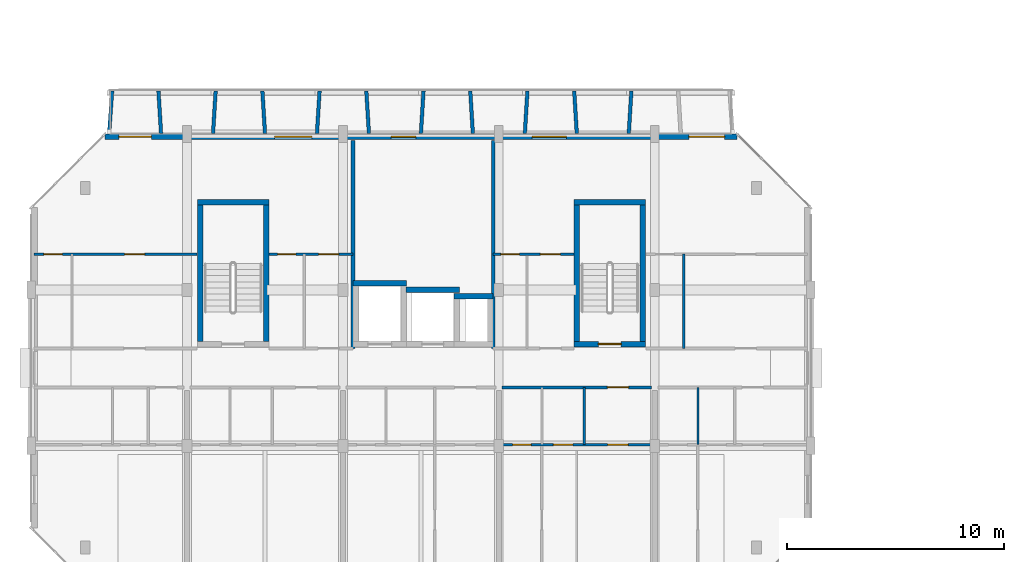
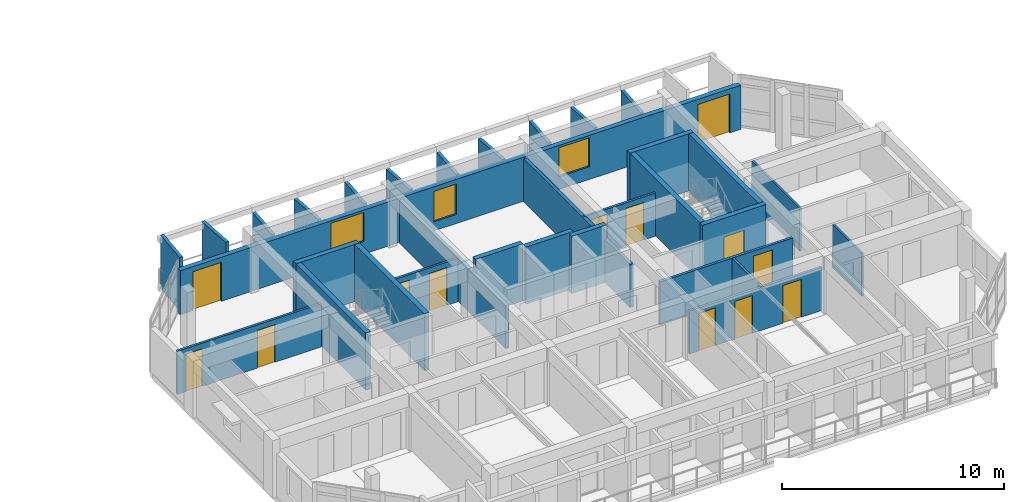
# One storey, part 18 of 45: 32 walls, 13 doors, 3 windows, 16 openings.
"""IFC4 building model written with IfcOpenShell, lengths in metres."""

from ifc_helpers import new_model, si_unit, direction, frame, frame_2d, origin, place, context, subcontext, project, spatial, rectangle, extrude, material, layer, layer_set, type_object, element, fill, save


model = new_model("IFC4")

# Units and contexts
model_context = context("Model", 3, precision=1e-05, world=origin(), true_north=direction((0.0, 1.0)))
body_context = subcontext(model_context, "Body", "Model", "MODEL_VIEW")
ifc_project = project(units=[si_unit("LENGTHUNIT", "METRE"), si_unit("AREAUNIT", "SQUARE_METRE"), si_unit("VOLUMEUNIT", "CUBIC_METRE"), si_unit("PLANEANGLEUNIT", "RADIAN"), si_unit("MASSUNIT", "GRAM", prefix="KILO")], contexts=[model_context])

# Site, building, storey
site_placement = place(None, origin())
site = spatial("IfcSite", under=ifc_project, at=site_placement, CompositionType="ELEMENT")
building_placement = place(site_placement, origin())
building = spatial("IfcBuilding", under=site, at=building_placement, Name="Ochrevale Crest", CompositionType="ELEMENT")
storey_placement = place(building_placement, frame((0.0, 0.0, 18.14990234375)))
storey = spatial("IfcBuildingStorey", under=building, at=storey_placement, Name="L05", CompositionType="ELEMENT", Elevation=18.14990234375)

# Wall, opening, door
ifc_material_1 = material(Name="Gypsum plasterboard", Category="gypsum")
ifc_layer_1 = layer(ifc_material_1, 0.139892578125)
ifc_layer_set_1 = layer_set([ifc_layer_1], Name="Gypsum plasterboard")
wall_type_1 = type_object("IfcWallType", Name="WL-COR-140", PredefinedType="PARTITIONING", material=ifc_layer_set_1)
wall_1_placement = place(storey_placement, frame((21.739990234375, 24.300048828125, 0.0), z_axis=(0.0, 0.0, 1.0), x_axis=(1.0, 0.0, 0.0)))
wall_1 = element("IfcWall", 1, at=wall_1_placement, inside=storey, type_object=wall_type_1, Name="Apartment A-L05-U4 corridor wall", PredefinedType="PARTITIONING", context=body_context, shape_type="SweptSolid", body=[
    extrude(rectangle(XDim=6.919921875, YDim=0.139892578125, at=frame_2d((3.4599609375, 0.0))), origin(), (0.0, 0.0, 1.0), 2.380126953125),
])
opening_1_placement = place(wall_1_placement, frame((4.8701171875, 0.0, 0.0)))
opening_1 = element("IfcOpeningElement", 2, at=opening_1_placement, cuts=wall_1, Name="Opening FD01", PredefinedType="OPENING", context=body_context, shape_type="SweptSolid", body=[
    extrude(rectangle(XDim=0.97998046875, YDim=2.10009765625, at=frame_2d((0.489990234375, 1.050048828125))), frame((0.0, 0.080078125, 0.0), z_axis=(0.0, -1.0, 0.0), x_axis=(1.0, 0.0, 0.0)), (0.0, 0.0, 1.0), 0.159912109375),
])
ifc_material_2 = material(Name="Solid-core FSC hardwood", Category="wood")
door_type_1 = type_object("IfcDoorType", Name="DR-APT-950", OperationType="NOTDEFINED", PredefinedType="DOOR", material=ifc_material_2)
door_1_placement = place(opening_1_placement, origin())
door_1 = element("IfcDoor", 3, at=door_1_placement, inside=storey, type_object=door_type_1, Name="Apartment A-L05-U4 entrance door", OperationType="SINGLE_SWING_LEFT", OverallHeight=2.10009765625, OverallWidth=0.97998046875, PredefinedType="DOOR", context=body_context, shape_type="SweptSolid", body=[
    extrude(rectangle(XDim=0.97998046875, YDim=2.10009765625, at=frame_2d((0.489990234375, 1.050048828125))), frame((0.0, 0.02490234375, 0.0), z_axis=(0.0, -1.0, 0.0), x_axis=(1.0, 0.0, 0.0)), (0.0, 0.0, 1.0), 0.050048828125),
])
fill(opening_1, door_1)

# Walls
ifc_material_3 = material(Name="Precast concrete C50/60", Category="concrete")
ifc_layer_2 = layer(ifc_material_3, 0.2548828125)
ifc_layer_set_2 = layer_set([ifc_layer_2], Name="Precast concrete C50/60")
wall_type_2 = type_object("IfcWallType", Name="WL-CORE-255", PredefinedType="SHEAR", material=ifc_layer_set_2)
wall_2_placement = place(storey_placement, frame((7.672607421875, 32.85009765625, 0.0), z_axis=(0.0, 0.0, 1.0), x_axis=(1.0, 0.0, 0.0)))
element("IfcWall", 4, at=wall_2_placement, inside=storey, type_object=wall_type_2, Name="Block A L05 Stair 1 precast core shear wall N", PredefinedType="SHEAR", context=body_context, shape_type="SweptSolid", body=[
    extrude(rectangle(XDim=3.304931640625, YDim=0.2548828125, at=frame_2d((1.65234375, 0.0))), origin(), (0.0, 0.0, 1.0), 3.150146484375),
])
for number, where, z_axis, x_axis, name in (
    (5, (7.800048828125, 26.427490234375, 0.0), (0.0, 0.0, 1.0), (0.0, 1.0, 0.0), "Block A L05 Stair 1 precast core shear wall W"),
    (6, (10.85009765625, 26.427490234375, 0.0), (0.0, 0.0, 1.0), (0.0, 1.0, 0.0), "Block A L05 Stair 1 precast core shear wall E"),
):
    element("IfcWall", number, at=place(storey_placement, frame(where, z_axis=z_axis, x_axis=x_axis)), inside=storey, type_object=wall_type_2, Name=name, PredefinedType="SHEAR", context=body_context, shape_type="SweptSolid", body=[
        extrude(rectangle(XDim=6.294921875, YDim=0.2548828125, at=frame_2d((3.1474609375, 0.0))), origin(), (0.0, 0.0, 1.0), 3.150146484375),
    ])

# Wall, opening, door
wall_3_placement = place(storey_placement, frame((25.072509765625, 26.300048828125, 0.0), z_axis=(0.0, 0.0, 1.0), x_axis=(1.0, 0.0, 0.0)))
wall_3 = element("IfcWall", 7, at=wall_3_placement, inside=storey, type_object=wall_type_2, Name="Block A L05 Stair 2 precast core shear wall S", PredefinedType="SHEAR", context=body_context, shape_type="SweptSolid", body=[
    extrude(rectangle(XDim=3.304931640625, YDim=0.2548828125, at=frame_2d((1.65234375, 0.0))), origin(), (0.0, 0.0, 1.0), 3.150146484375),
])
opening_2_placement = place(wall_3_placement, frame((1.12744140625, 0.0, 0.0)))
opening_2 = element("IfcOpeningElement", 8, at=opening_2_placement, cuts=wall_3, Name="Opening FD03", PredefinedType="OPENING", context=body_context, shape_type="SweptSolid", body=[
    extrude(rectangle(XDim=1.050048828125, YDim=2.1201171875, at=frame_2d((0.52490234375, 1.06005859375))), frame((0.0, 0.137451171875, 0.0), z_axis=(0.0, -1.0, 0.0), x_axis=(1.0, 0.0, 0.0)), (0.0, 0.0, 1.0), 0.27490234375),
])
door_type_2 = type_object("IfcDoorType", Name="DR-ST-1050", OperationType="NOTDEFINED", PredefinedType="DOOR", material=ifc_material_2)
door_2_placement = place(opening_2_placement, origin())
door_2 = element("IfcDoor", 9, at=door_2_placement, inside=storey, type_object=door_type_2, Name="Block A L05 fire stair 2 door", OperationType="SINGLE_SWING_LEFT", OverallHeight=2.1201171875, OverallWidth=1.050048828125, PredefinedType="DOOR", context=body_context, shape_type="SweptSolid", body=[
    extrude(rectangle(XDim=1.050048828125, YDim=2.1201171875, at=frame_2d((0.52490234375, 1.06005859375))), frame((0.0, 0.02490234375, 0.0), z_axis=(0.0, -1.0, 0.0), x_axis=(1.0, 0.0, 0.0)), (0.0, 0.0, 1.0), 0.050048828125),
])
fill(opening_2, door_2)

# Walls
wall_4_placement = place(storey_placement, frame((25.072509765625, 32.85009765625, 0.0), z_axis=(0.0, 0.0, 1.0), x_axis=(1.0, 0.0, 0.0)))
element("IfcWall", 10, at=wall_4_placement, inside=storey, type_object=wall_type_2, Name="Block A L05 Stair 2 precast core shear wall N", PredefinedType="SHEAR", context=body_context, shape_type="SweptSolid", body=[
    extrude(rectangle(XDim=3.304931640625, YDim=0.2548828125, at=frame_2d((1.65234375, 0.0))), origin(), (0.0, 0.0, 1.0), 3.150146484375),
])
for number, where, z_axis, x_axis, name in (
    (11, (25.199951171875, 26.427490234375, 0.0), (0.0, 0.0, 1.0), (0.0, 1.0, 0.0), "Block A L05 Stair 2 precast core shear wall W"),
    (12, (28.25, 26.427490234375, 0.0), (0.0, 0.0, 1.0), (0.0, 1.0, 0.0), "Block A L05 Stair 2 precast core shear wall E"),
):
    element("IfcWall", number, at=place(storey_placement, frame(where, z_axis=z_axis, x_axis=x_axis)), inside=storey, type_object=wall_type_2, Name=name, PredefinedType="SHEAR", context=body_context, shape_type="SweptSolid", body=[
        extrude(rectangle(XDim=6.294921875, YDim=0.2548828125, at=frame_2d((3.1474609375, 0.0))), origin(), (0.0, 0.0, 1.0), 3.150146484375),
    ])
wall_5_placement = place(storey_placement, frame((14.87255859375, 29.10009765625, 0.0), z_axis=(0.0, 0.0, 1.0), x_axis=(1.0, 0.0, 0.0)))
element("IfcWall", 13, at=wall_5_placement, inside=storey, type_object=wall_type_2, Name="Block A L05 Lift 1 precast shaft shear wall N", PredefinedType="SHEAR", context=body_context, shape_type="SweptSolid", body=[
    extrude(rectangle(XDim=2.454833984375, YDim=0.2548828125, at=frame_2d((1.2275390625, 0.0))), origin(), (0.0, 0.0, 1.0), 3.150146484375),
])
wall_6_placement = place(storey_placement, frame((17.322509765625, 28.800048828125, 0.0), z_axis=(0.0, 0.0, 1.0), x_axis=(1.0, 0.0, 0.0)))
element("IfcWall", 14, at=wall_6_placement, inside=storey, type_object=wall_type_2, Name="Block A L05 Lift 2 precast shaft shear wall N", PredefinedType="SHEAR", context=body_context, shape_type="SweptSolid", body=[
    extrude(rectangle(XDim=2.455078125, YDim=0.2548828125, at=frame_2d((1.2275390625, 0.0))), origin(), (0.0, 0.0, 1.0), 3.150146484375),
])
wall_7_placement = place(storey_placement, frame((19.5224609375, 28.5, 0.0), z_axis=(0.0, 0.0, 1.0), x_axis=(1.0, 0.0, 0.0)))
element("IfcWall", 15, at=wall_7_placement, inside=storey, type_object=wall_type_2, Name="Block A L05 services riser shaft core wall N", PredefinedType="SHEAR", context=body_context, shape_type="SweptSolid", body=[
    extrude(rectangle(XDim=1.804931640625, YDim=0.2548828125, at=frame_2d((0.90234375, 0.0))), origin(), (0.0, 0.0, 1.0), 3.150146484375),
])

# Wall, openings, doors, windows
ifc_material_4 = material(Name="Precast concrete C40/50", Category="concrete")
ifc_layer_3 = layer(ifc_material_4, 0.25)
ifc_layer_set_3 = layer_set([ifc_layer_3], Name="Precast concrete C40/50")
wall_type_3 = type_object("IfcWallType", Name="WL-EXT-GOLD-250", PredefinedType="SOLIDWALL", material=ifc_layer_set_3)
wall_8_placement = place(storey_placement, frame((32.60009765625, 35.875, 0.0), z_axis=(0.0, 0.0, 1.0), x_axis=(-1.0, 0.0, 0.0)))
wall_8 = element("IfcWall", 16, at=wall_8_placement, inside=storey, type_object=wall_type_3, Name="Block A L05 external facade wall E5", PredefinedType="SOLIDWALL", context=body_context, shape_type="SweptSolid", body=[
    extrude(rectangle(XDim=29.2001953125, YDim=0.25, at=frame_2d((14.60009765625, 0.0))), origin(), (0.0, 0.0, 1.0), 2.43017578125),
])
opening_3_placement = place(wall_8_placement, frame((28.550048828125, 0.0, 0.0), z_axis=(0.0, 0.0, 1.0), x_axis=(-1.0, 0.0, 0.0)))
opening_3 = element("IfcOpeningElement", 17, at=opening_3_placement, cuts=wall_8, Name="Opening BD01", PredefinedType="OPENING", context=body_context, shape_type="SweptSolid", body=[
    extrude(rectangle(XDim=1.5, YDim=2.14990234375, at=frame_2d((0.75, 1.074951171875))), frame((0.0, 0.135009765625, 0.0), z_axis=(0.0, -1.0, 0.0), x_axis=(1.0, 0.0, 0.0)), (0.0, 0.0, 1.0), 0.27001953125),
])
opening_4_placement = place(wall_8_placement, frame((2.224853515625, 0.0, 0.0), z_axis=(0.0, 0.0, 1.0), x_axis=(-1.0, 0.0, 0.0)))
opening_4 = element("IfcOpeningElement", 18, at=opening_4_placement, cuts=wall_8, Name="Opening BD02", PredefinedType="OPENING", context=body_context, shape_type="SweptSolid", body=[
    extrude(rectangle(XDim=1.64990234375, YDim=2.14990234375, at=frame_2d((0.824951171875, 1.074951171875))), frame((0.0, 0.135009765625, 0.0), z_axis=(0.0, -1.0, 0.0), x_axis=(1.0, 0.0, 0.0)), (0.0, 0.0, 1.0), 0.27001953125),
])
opening_5_placement = place(wall_8_placement, frame((14.830078125, 0.0, 0.5)))
opening_5 = element("IfcOpeningElement", 19, at=opening_5_placement, cuts=wall_8, Name="Opening W32", PredefinedType="OPENING", context=body_context, shape_type="SweptSolid", body=[
    extrude(rectangle(XDim=1.14990234375, YDim=1.679931640625, at=frame_2d((0.574951171875, 0.83984375))), frame((0.0, 0.135009765625, 0.0), z_axis=(0.0, -1.0, 0.0), x_axis=(1.0, 0.0, 0.0)), (0.0, 0.0, 1.0), 0.27001953125),
])
opening_6_placement = place(wall_8_placement, frame((7.885009765625, 0.0, 0.699951171875)))
opening_6 = element("IfcOpeningElement", 20, at=opening_6_placement, cuts=wall_8, Name="Opening W09", PredefinedType="OPENING", context=body_context, shape_type="SweptSolid", body=[
    extrude(rectangle(XDim=1.580078125, YDim=1.60009765625, at=frame_2d((0.7900390625, 0.800048828125))), frame((0.0, 0.135009765625, 0.0), z_axis=(0.0, -1.0, 0.0), x_axis=(1.0, 0.0, 0.0)), (0.0, 0.0, 1.0), 0.27001953125),
])
opening_7_placement = place(wall_8_placement, frame((19.639892578125, 0.0, 0.699951171875)))
opening_7 = element("IfcOpeningElement", 21, at=opening_7_placement, cuts=wall_8, Name="Opening W10", PredefinedType="OPENING", context=body_context, shape_type="SweptSolid", body=[
    extrude(rectangle(XDim=1.719970703125, YDim=1.60009765625, at=frame_2d((0.85986328125, 0.800048828125))), frame((0.0, 0.135009765625, 0.0), z_axis=(0.0, -1.0, 0.0), x_axis=(1.0, 0.0, 0.0)), (0.0, 0.0, 1.0), 0.27001953125),
])
ifc_material_5 = material(Name="Anodised aluminium 6063-T5 and toughened glass", Category="aluminium")
door_type_3 = type_object("IfcDoorType", Name="DR-BAL-1500", OperationType="NOTDEFINED", PredefinedType="DOOR", material=ifc_material_5)
door_3_placement = place(opening_3_placement, origin())
door_3 = element("IfcDoor", 22, at=door_3_placement, inside=storey, type_object=door_type_3, Name="Block A L05 balcony door N1", OperationType="SINGLE_SWING_LEFT", OverallHeight=2.14990234375, OverallWidth=1.5, PredefinedType="DOOR", context=body_context, shape_type="SweptSolid", body=[
    extrude(rectangle(XDim=1.5, YDim=2.14990234375, at=frame_2d((0.75, 1.074951171875))), frame((0.0, 0.02490234375, 0.0), z_axis=(0.0, -1.0, 0.0), x_axis=(1.0, 0.0, 0.0)), (0.0, 0.0, 1.0), 0.050048828125),
])
fill(opening_3, door_3)
door_type_4 = type_object("IfcDoorType", Name="DR-BAL-1650", OperationType="NOTDEFINED", PredefinedType="DOOR", material=ifc_material_5)
door_4_placement = place(opening_4_placement, origin())
door_4 = element("IfcDoor", 23, at=door_4_placement, inside=storey, type_object=door_type_4, Name="Block A L05 balcony door N5", OperationType="SINGLE_SWING_RIGHT", OverallHeight=2.14990234375, OverallWidth=1.64990234375, PredefinedType="DOOR", context=body_context, shape_type="SweptSolid", body=[
    extrude(rectangle(XDim=1.64990234375, YDim=2.14990234375, at=frame_2d((0.824951171875, 1.074951171875))), frame((0.0, 0.02490234375, 0.0), z_axis=(0.0, -1.0, 0.0), x_axis=(1.0, 0.0, 0.0)), (0.0, 0.0, 1.0), 0.050048828125),
])
fill(opening_4, door_4)
ifc_material_6 = material(Name="Anodised aluminium 6063-T5 and low-E double glazing", Category="aluminium")
window_type_1 = type_object("IfcWindowType", Name="WIN-W09", PartitioningType="SINGLE_PANEL", PredefinedType="WINDOW", material=ifc_material_6)
window_1_placement = place(opening_6_placement, origin())
window_1 = element("IfcWindow", 24, at=window_1_placement, inside=storey, type_object=window_type_1, Name="Block A L05 Suite A-L05-ME Garden Alcove Studio window", OverallHeight=1.60009765625, OverallWidth=1.580078125, PartitioningType="SINGLE_PANEL", PredefinedType="WINDOW", context=body_context, shape_type="SweptSolid", body=[
    extrude(rectangle(XDim=1.580078125, YDim=1.60009765625, at=frame_2d((0.7900390625, 0.800048828125))), frame((0.0, 0.030029296875, 0.0), z_axis=(0.0, -1.0, 0.0), x_axis=(1.0, 0.0, 0.0)), (0.0, 0.0, 1.0), 0.06005859375),
])
fill(opening_6, window_1)
window_type_2 = type_object("IfcWindowType", Name="WIN-W10", PartitioningType="SINGLE_PANEL", PredefinedType="WINDOW", material=ifc_material_6)
window_2_placement = place(opening_7_placement, origin())
window_2 = element("IfcWindow", 25, at=window_2_placement, inside=storey, type_object=window_type_2, Name="Block A L05 Suite A-L05-MW Courtyard Studio Living window", OverallHeight=1.60009765625, OverallWidth=1.719970703125, PartitioningType="SINGLE_PANEL", PredefinedType="WINDOW", context=body_context, shape_type="SweptSolid", body=[
    extrude(rectangle(XDim=1.719970703125, YDim=1.60009765625, at=frame_2d((0.85986328125, 0.800048828125))), frame((0.0, 0.030029296875, 0.0), z_axis=(0.0, -1.0, 0.0), x_axis=(1.0, 0.0, 0.0)), (0.0, 0.0, 1.0), 0.06005859375),
])
fill(opening_7, window_2)
window_type_3 = type_object("IfcWindowType", Name="WIN-W32", PartitioningType="SINGLE_PANEL", PredefinedType="WINDOW", material=ifc_material_6)
window_3_placement = place(opening_5_placement, origin())
window_3 = element("IfcWindow", 26, at=window_3_placement, inside=storey, type_object=window_type_3, Name="Block A L05 core lancet window", OverallHeight=1.679931640625, OverallWidth=1.14990234375, PartitioningType="SINGLE_PANEL", PredefinedType="WINDOW", context=body_context, shape_type="SweptSolid", body=[
    extrude(rectangle(XDim=1.14990234375, YDim=1.679931640625, at=frame_2d((0.574951171875, 0.83984375))), frame((0.0, 0.030029296875, 0.0), z_axis=(0.0, -1.0, 0.0), x_axis=(1.0, 0.0, 0.0)), (0.0, 0.0, 1.0), 0.06005859375),
])
fill(opening_5, window_3)

# Walls
ifc_layer_4 = layer(ifc_material_4, 0.1650390625)
ifc_layer_set_4 = layer_set([ifc_layer_4], Name="Precast concrete C40/50")
wall_type_4 = type_object("IfcWallType", Name="WL-HC-CHEEK-165", PredefinedType="ELEMENTEDWALL", material=ifc_layer_set_4)
wall_9_placement = place(storey_placement, frame((3.60009765625, 36.02001953125, 0.0), z_axis=(0.0, 0.0, 1.0), x_axis=(0.071194071069, 0.997462482625, 0.0)))
element("IfcWall", 27, at=wall_9_placement, inside=storey, type_object=wall_type_4, Name="Block A L05 N precast honeycomb cheek 1", PredefinedType="ELEMENTEDWALL", context=body_context, shape_type="SweptSolid", body=[
    extrude(rectangle(XDim=1.96484375, YDim=0.1650390625, at=frame_2d((0.982421875, 0.0))), origin(), (0.0, 0.0, 1.0), 2.9501953125),
])
wall_10_placement = place(storey_placement, frame((6.0, 36.02001953125, 0.0), z_axis=(0.0, 0.0, 1.0), x_axis=(-0.061170732449, 0.998127317276, 0.0)))
element("IfcWall", 28, at=wall_10_placement, inside=storey, type_object=wall_type_4, Name="Block A L05 N precast honeycomb cheek 2", PredefinedType="ELEMENTEDWALL", context=body_context, shape_type="SweptSolid", body=[
    extrude(rectangle(XDim=1.963623046875, YDim=0.1650390625, at=frame_2d((0.98193359375, 0.0))), origin(), (0.0, 0.0, 1.0), 2.9501953125),
])
for number, where, z_axis, x_axis, name in (
    (29, (8.39990234375, 36.02001953125, 0.0), (0.0, 0.0, 1.0), (0.061170732449, 0.998127317276, 0.0), "Block A L05 N precast honeycomb cheek 3"),
    (30, (10.800048828125, 36.02001953125, 0.0), (0.0, 0.0, 1.0), (-0.061170732449, 0.998127317276, 0.0), "Block A L05 N precast honeycomb cheek 4"),
    (31, (13.199951171875, 36.02001953125, 0.0), (0.0, 0.0, 1.0), (0.061170732449, 0.998127317276, 0.0), "Block A L05 N precast honeycomb cheek 5"),
):
    element("IfcWall", number, at=place(storey_placement, frame(where, z_axis=z_axis, x_axis=x_axis)), inside=storey, type_object=wall_type_4, Name=name, PredefinedType="ELEMENTEDWALL", context=body_context, shape_type="SweptSolid", body=[
        extrude(rectangle(XDim=1.963623046875, YDim=0.1650390625, at=frame_2d((0.98193359375, 0.0))), origin(), (0.0, 0.0, 1.0), 2.530029296875),
    ])
for number, where, z_axis, x_axis, name in (
    (32, (15.60009765625, 36.02001953125, 0.0), (0.0, 0.0, 1.0), (-0.061170732449, 0.998127317276, 0.0), "Block A L05 N precast honeycomb cheek 6"),
    (33, (18.0, 36.02001953125, 0.0), (0.0, 0.0, 1.0), (0.061170732449, 0.998127317276, 0.0), "Block A L05 N precast honeycomb cheek 7"),
    (34, (20.39990234375, 36.02001953125, 0.0), (0.0, 0.0, 1.0), (-0.061046865508, 0.998134900808, 0.0), "Block A L05 N precast honeycomb cheek 8"),
):
    element("IfcWall", number, at=place(storey_placement, frame(where, z_axis=z_axis, x_axis=x_axis)), inside=storey, type_object=wall_type_4, Name=name, PredefinedType="ELEMENTEDWALL", context=body_context, shape_type="SweptSolid", body=[
        extrude(rectangle(XDim=1.963623046875, YDim=0.1650390625, at=frame_2d((0.98193359375, 0.0))), origin(), (0.0, 0.0, 1.0), 2.47998046875),
    ])
for number, where, z_axis, x_axis, name in (
    (35, (22.800048828125, 36.02001953125, 0.0), (0.0, 0.0, 1.0), (0.061046865508, 0.998134900808, 0.0), "Block A L05 N precast honeycomb cheek 9"),
    (36, (25.199951171875, 36.02001953125, 0.0), (0.0, 0.0, 1.0), (-0.061046865508, 0.998134900808, 0.0), "Block A L05 N precast honeycomb cheek 10"),
    (37, (27.60009765625, 36.02001953125, 0.0), (0.0, 0.0, 1.0), (0.061046865508, 0.998134900808, 0.0), "Block A L05 N precast honeycomb cheek 11"),
):
    element("IfcWall", number, at=place(storey_placement, frame(where, z_axis=z_axis, x_axis=x_axis)), inside=storey, type_object=wall_type_4, Name=name, PredefinedType="ELEMENTEDWALL", context=body_context, shape_type="SweptSolid", body=[
        extrude(rectangle(XDim=1.963623046875, YDim=0.1650390625, at=frame_2d((0.98193359375, 0.0))), origin(), (0.0, 0.0, 1.0), 2.530029296875),
    ])
ifc_layer_5 = layer(ifc_material_1, 0.1201171875)
ifc_layer_set_5 = layer_set([ifc_layer_5], Name="Gypsum plasterboard")
wall_type_5 = type_object("IfcWallType", Name="WL-PART-120", PredefinedType="PARTITIONING", material=ifc_layer_set_5)
wall_11_placement = place(storey_placement, frame((25.5400390625, 21.64990234375, 0.0), z_axis=(0.0, 0.0, 1.0), x_axis=(0.0, 1.0, 0.0)))
element("IfcWall", 38, at=wall_11_placement, inside=storey, type_object=wall_type_5, Name="Apartment A-L05-U4 kitchen-foyer wall", PredefinedType="PARTITIONING", context=body_context, shape_type="SweptSolid", body=[
    extrude(rectangle(XDim=2.650146484375, YDim=0.1201171875, at=frame_2d((1.3251953125, 0.0))), origin(), (0.0, 0.0, 1.0), 2.375),
])

# Wall, openings, doors
wall_12_placement = place(storey_placement, frame((21.739990234375, 21.64990234375, 0.0), z_axis=(0.0, 0.0, 1.0), x_axis=(1.0, 0.0, 0.0)))
wall_12 = element("IfcWall", 39, at=wall_12_placement, inside=storey, type_object=wall_type_5, Name="Apartment A-L05-U4 central partition", PredefinedType="PARTITIONING", context=body_context, shape_type="SweptSolid", body=[
    extrude(rectangle(XDim=6.919921875, YDim=0.1201171875, at=frame_2d((3.4599609375, 0.0))), origin(), (0.0, 0.0, 1.0), 2.375),
])
opening_8_placement = place(wall_12_placement, frame((1.35009765625, 0.0, 0.0), z_axis=(0.0, 0.0, 1.0), x_axis=(-1.0, 0.0, 0.0)))
opening_8 = element("IfcOpeningElement", 40, at=opening_8_placement, cuts=wall_12, Name="Opening ID01", PredefinedType="OPENING", context=body_context, shape_type="SweptSolid", body=[
    extrude(rectangle(XDim=0.85009765625, YDim=2.080078125, at=frame_2d((0.425048828125, 1.0400390625))), frame((0.0, 0.070068359375, 0.0), z_axis=(0.0, -1.0, 0.0), x_axis=(1.0, 0.0, 0.0)), (0.0, 0.0, 1.0), 0.14013671875),
])
opening_9_placement = place(wall_12_placement, frame((2.375, 0.0, 0.0)))
opening_9 = element("IfcOpeningElement", 41, at=opening_9_placement, cuts=wall_12, Name="Opening ID02", PredefinedType="OPENING", context=body_context, shape_type="SweptSolid", body=[
    extrude(rectangle(XDim=0.89990234375, YDim=2.080078125, at=frame_2d((0.449951171875, 1.0400390625))), frame((0.0, 0.070068359375, 0.0), z_axis=(0.0, -1.0, 0.0), x_axis=(1.0, 0.0, 0.0)), (0.0, 0.0, 1.0), 0.14013671875),
])
opening_10_placement = place(wall_12_placement, frame((5.8349609375, 0.0, 0.0), z_axis=(0.0, 0.0, 1.0), x_axis=(-1.0, 0.0, 0.0)))
opening_10 = element("IfcOpeningElement", 42, at=opening_10_placement, cuts=wall_12, Name="Opening ID06", PredefinedType="OPENING", context=body_context, shape_type="SweptSolid", body=[
    extrude(rectangle(XDim=0.949951171875, YDim=2.080078125, at=frame_2d((0.47509765625, 1.0400390625))), frame((0.0, 0.070068359375, 0.0), z_axis=(0.0, -1.0, 0.0), x_axis=(1.0, 0.0, 0.0)), (0.0, 0.0, 1.0), 0.14013671875),
])
door_type_5 = type_object("IfcDoorType", Name="DR-INT-900", OperationType="NOTDEFINED", PredefinedType="DOOR", material=ifc_material_2)
door_5_placement = place(opening_9_placement, origin())
door_5 = element("IfcDoor", 43, at=door_5_placement, inside=storey, type_object=door_type_5, Name="Apartment A-L05-U4 Kitchen door", OperationType="SINGLE_SWING_LEFT", OverallHeight=2.080078125, OverallWidth=0.89990234375, PredefinedType="DOOR", context=body_context, shape_type="SweptSolid", body=[
    extrude(rectangle(XDim=0.89990234375, YDim=2.080078125, at=frame_2d((0.449951171875, 1.0400390625))), frame((0.0, 0.02490234375, 0.0), z_axis=(0.0, -1.0, 0.0), x_axis=(1.0, 0.0, 0.0)), (0.0, 0.0, 1.0), 0.050048828125),
])
fill(opening_9, door_5)
door_type_6 = type_object("IfcDoorType", Name="DR-INT-950", OperationType="NOTDEFINED", PredefinedType="DOOR", material=ifc_material_2)
door_6_placement = place(opening_10_placement, origin())
door_6 = element("IfcDoor", 44, at=door_6_placement, inside=storey, type_object=door_type_6, Name="Apartment A-L05-U4 Living Foyer door", OperationType="SINGLE_SWING_RIGHT", OverallHeight=2.080078125, OverallWidth=0.949951171875, PredefinedType="DOOR", context=body_context, shape_type="SweptSolid", body=[
    extrude(rectangle(XDim=0.949951171875, YDim=2.080078125, at=frame_2d((0.47509765625, 1.0400390625))), frame((0.0, 0.02490234375, 0.0), z_axis=(0.0, -1.0, 0.0), x_axis=(1.0, 0.0, 0.0)), (0.0, 0.0, 1.0), 0.050048828125),
])
fill(opening_10, door_6)
door_type_7 = type_object("IfcDoorType", Name="DR-WC-850", OperationType="NOTDEFINED", PredefinedType="DOOR", material=ifc_material_2)
door_7_placement = place(opening_8_placement, origin())
door_7 = element("IfcDoor", 45, at=door_7_placement, inside=storey, type_object=door_type_7, Name="Apartment A-L05-U4 Bathroom door", OperationType="SINGLE_SWING_RIGHT", OverallHeight=2.080078125, OverallWidth=0.85009765625, PredefinedType="DOOR", context=body_context, shape_type="SweptSolid", body=[
    extrude(rectangle(XDim=0.85009765625, YDim=2.080078125, at=frame_2d((0.425048828125, 1.0400390625))), frame((0.0, 0.02490234375, 0.0), z_axis=(0.0, -1.0, 0.0), x_axis=(1.0, 0.0, 0.0)), (0.0, 0.0, 1.0), 0.050048828125),
])
fill(opening_8, door_7)

wall_13_placement = place(storey_placement, frame((0.139892578125, 30.449951171875, 0.0), z_axis=(0.0, 0.0, 1.0), x_axis=(1.0, 0.0, 0.0)))
wall_13 = element("IfcWall", 46, at=wall_13_placement, inside=storey, type_object=wall_type_5, Name="Suite A-L05-CW internal wall", PredefinedType="PARTITIONING", context=body_context, shape_type="SweptSolid", body=[
    extrude(rectangle(XDim=7.52001953125, YDim=0.1201171875, at=frame_2d((3.760009765625, 0.0))), origin(), (0.0, 0.0, 1.0), 2.380126953125),
])
opening_11_placement = place(wall_13_placement, frame((1.300048828125, 0.0, 0.0), z_axis=(0.0, 0.0, 1.0), x_axis=(-1.0, 0.0, 0.0)))
opening_11 = element("IfcOpeningElement", 47, at=opening_11_placement, cuts=wall_13, Name="Opening ID01", PredefinedType="OPENING", context=body_context, shape_type="SweptSolid", body=[
    extrude(rectangle(XDim=0.85009765625, YDim=2.080078125, at=frame_2d((0.425048828125, 1.0400390625))), frame((0.0, 0.070068359375, 0.0), z_axis=(0.0, -1.0, 0.0), x_axis=(1.0, 0.0, 0.0)), (0.0, 0.0, 1.0), 0.14013671875),
])
opening_12_placement = place(wall_13_placement, frame((4.175048828125, 0.0, 0.0)))
opening_12 = element("IfcOpeningElement", 48, at=opening_12_placement, cuts=wall_13, Name="Opening ID04", PredefinedType="OPENING", context=body_context, shape_type="SweptSolid", body=[
    extrude(rectangle(XDim=0.919921875, YDim=2.080078125, at=frame_2d((0.4599609375, 1.0400390625))), frame((0.0, 0.070068359375, 0.0), z_axis=(0.0, -1.0, 0.0), x_axis=(1.0, 0.0, 0.0)), (0.0, 0.0, 1.0), 0.14013671875),
])
door_type_8 = type_object("IfcDoorType", Name="DR-INT-920", OperationType="NOTDEFINED", PredefinedType="DOOR", material=ifc_material_2)
door_8_placement = place(opening_12_placement, origin())
door_8 = element("IfcDoor", 49, at=door_8_placement, inside=storey, type_object=door_type_8, Name="Suite A-L05-CW Garden Alcove Studio door", OperationType="SINGLE_SWING_LEFT", OverallHeight=2.080078125, OverallWidth=0.919921875, PredefinedType="DOOR", context=body_context, shape_type="SweptSolid", body=[
    extrude(rectangle(XDim=0.919921875, YDim=2.080078125, at=frame_2d((0.4599609375, 1.0400390625))), frame((0.0, 0.02490234375, 0.0), z_axis=(0.0, -1.0, 0.0), x_axis=(1.0, 0.0, 0.0)), (0.0, 0.0, 1.0), 0.050048828125),
])
fill(opening_12, door_8)
door_9_placement = place(opening_11_placement, origin())
door_9 = element("IfcDoor", 50, at=door_9_placement, inside=storey, type_object=door_type_7, Name="Suite A-L05-CW Bathroom door", OperationType="SINGLE_SWING_RIGHT", OverallHeight=2.080078125, OverallWidth=0.85009765625, PredefinedType="DOOR", context=body_context, shape_type="SweptSolid", body=[
    extrude(rectangle(XDim=0.85009765625, YDim=2.080078125, at=frame_2d((0.425048828125, 1.0400390625))), frame((0.0, 0.02490234375, 0.0), z_axis=(0.0, -1.0, 0.0), x_axis=(1.0, 0.0, 0.0)), (0.0, 0.0, 1.0), 0.050048828125),
])
fill(opening_11, door_9)

wall_14_placement = place(storey_placement, frame((10.989990234375, 30.449951171875, 0.0), z_axis=(0.0, 0.0, 1.0), x_axis=(1.0, 0.0, 0.0)))
wall_14 = element("IfcWall", 51, at=wall_14_placement, inside=storey, type_object=wall_type_5, Name="Suite A-L05-MW internal wall", PredefinedType="PARTITIONING", context=body_context, shape_type="SweptSolid", body=[
    extrude(rectangle(XDim=3.8701171875, YDim=0.1201171875, at=frame_2d((1.93505859375, 0.0))), origin(), (0.0, 0.0, 1.0), 2.380126953125),
])
opening_13_placement = place(wall_14_placement, frame((0.3876953125, 0.0, 0.0)))
opening_13 = element("IfcOpeningElement", 52, at=opening_13_placement, cuts=wall_14, Name="Opening ID01", PredefinedType="OPENING", context=body_context, shape_type="SweptSolid", body=[
    extrude(rectangle(XDim=0.85009765625, YDim=2.080078125, at=frame_2d((0.425048828125, 1.0400390625))), frame((0.0, 0.070068359375, 0.0), z_axis=(0.0, -1.0, 0.0), x_axis=(1.0, 0.0, 0.0)), (0.0, 0.0, 1.0), 0.14013671875),
])
opening_14_placement = place(wall_14_placement, frame((3.20751953125, 0.0, 0.0), z_axis=(0.0, 0.0, 1.0), x_axis=(-1.0, 0.0, 0.0)))
opening_14 = element("IfcOpeningElement", 53, at=opening_14_placement, cuts=wall_14, Name="Opening ID04", PredefinedType="OPENING", context=body_context, shape_type="SweptSolid", body=[
    extrude(rectangle(XDim=0.919921875, YDim=2.080078125, at=frame_2d((0.4599609375, 1.0400390625))), frame((0.0, 0.070068359375, 0.0), z_axis=(0.0, -1.0, 0.0), x_axis=(1.0, 0.0, 0.0)), (0.0, 0.0, 1.0), 0.14013671875),
])
door_10_placement = place(opening_14_placement, origin())
door_10 = element("IfcDoor", 54, at=door_10_placement, inside=storey, type_object=door_type_8, Name="Suite A-L05-MW Courtyard Studio Living door", OperationType="SINGLE_SWING_RIGHT", OverallHeight=2.080078125, OverallWidth=0.919921875, PredefinedType="DOOR", context=body_context, shape_type="SweptSolid", body=[
    extrude(rectangle(XDim=0.919921875, YDim=2.080078125, at=frame_2d((0.4599609375, 1.0400390625))), frame((0.0, 0.02490234375, 0.0), z_axis=(0.0, -1.0, 0.0), x_axis=(1.0, 0.0, 0.0)), (0.0, 0.0, 1.0), 0.050048828125),
])
fill(opening_14, door_10)
door_11_placement = place(opening_13_placement, origin())
door_11 = element("IfcDoor", 55, at=door_11_placement, inside=storey, type_object=door_type_7, Name="Suite A-L05-MW Bathroom door", OperationType="SINGLE_SWING_LEFT", OverallHeight=2.080078125, OverallWidth=0.85009765625, PredefinedType="DOOR", context=body_context, shape_type="SweptSolid", body=[
    extrude(rectangle(XDim=0.85009765625, YDim=2.080078125, at=frame_2d((0.425048828125, 1.0400390625))), frame((0.0, 0.02490234375, 0.0), z_axis=(0.0, -1.0, 0.0), x_axis=(1.0, 0.0, 0.0)), (0.0, 0.0, 1.0), 0.050048828125),
])
fill(opening_13, door_11)

wall_15_placement = place(storey_placement, frame((21.340087890625, 30.449951171875, 0.0), z_axis=(0.0, 0.0, 1.0), x_axis=(1.0, 0.0, 0.0)))
wall_15 = element("IfcWall", 56, at=wall_15_placement, inside=storey, type_object=wall_type_5, Name="Suite A-L05-ME internal wall", PredefinedType="PARTITIONING", context=body_context, shape_type="SweptSolid", body=[
    extrude(rectangle(XDim=3.719970703125, YDim=0.1201171875, at=frame_2d((1.85986328125, 0.0))), origin(), (0.0, 0.0, 1.0), 2.380126953125),
])
opening_15_placement = place(wall_15_placement, frame((1.206298828125, 0.0, 0.0), z_axis=(0.0, 0.0, 1.0), x_axis=(-1.0, 0.0, 0.0)))
opening_15 = element("IfcOpeningElement", 57, at=opening_15_placement, cuts=wall_15, Name="Opening ID01", PredefinedType="OPENING", context=body_context, shape_type="SweptSolid", body=[
    extrude(rectangle(XDim=0.85009765625, YDim=2.080078125, at=frame_2d((0.425048828125, 1.0400390625))), frame((0.0, 0.070068359375, 0.0), z_axis=(0.0, -1.0, 0.0), x_axis=(1.0, 0.0, 0.0)), (0.0, 0.0, 1.0), 0.14013671875),
])
opening_16_placement = place(wall_15_placement, frame((2.18115234375, 0.0, 0.0)))
opening_16 = element("IfcOpeningElement", 58, at=opening_16_placement, cuts=wall_15, Name="Opening ID04", PredefinedType="OPENING", context=body_context, shape_type="SweptSolid", body=[
    extrude(rectangle(XDim=0.919921875, YDim=2.080078125, at=frame_2d((0.4599609375, 1.0400390625))), frame((0.0, 0.070068359375, 0.0), z_axis=(0.0, -1.0, 0.0), x_axis=(1.0, 0.0, 0.0)), (0.0, 0.0, 1.0), 0.14013671875),
])
door_12_placement = place(opening_16_placement, origin())
door_12 = element("IfcDoor", 59, at=door_12_placement, inside=storey, type_object=door_type_8, Name="Suite A-L05-ME Garden Alcove Studio door", OperationType="SINGLE_SWING_LEFT", OverallHeight=2.080078125, OverallWidth=0.919921875, PredefinedType="DOOR", context=body_context, shape_type="SweptSolid", body=[
    extrude(rectangle(XDim=0.919921875, YDim=2.080078125, at=frame_2d((0.4599609375, 1.0400390625))), frame((0.0, 0.02490234375, 0.0), z_axis=(0.0, -1.0, 0.0), x_axis=(1.0, 0.0, 0.0)), (0.0, 0.0, 1.0), 0.050048828125),
])
fill(opening_16, door_12)
door_13_placement = place(opening_15_placement, origin())
door_13 = element("IfcDoor", 60, at=door_13_placement, inside=storey, type_object=door_type_7, Name="Suite A-L05-ME Bathroom door", OperationType="SINGLE_SWING_RIGHT", OverallHeight=2.080078125, OverallWidth=0.85009765625, PredefinedType="DOOR", context=body_context, shape_type="SweptSolid", body=[
    extrude(rectangle(XDim=0.85009765625, YDim=2.080078125, at=frame_2d((0.425048828125, 1.0400390625))), frame((0.0, 0.02490234375, 0.0), z_axis=(0.0, -1.0, 0.0), x_axis=(1.0, 0.0, 0.0)), (0.0, 0.0, 1.0), 0.050048828125),
])
fill(opening_15, door_13)

# Walls
ifc_layer_6 = layer(ifc_material_1, 0.169921875)
ifc_layer_set_6 = layer_set([ifc_layer_6], Name="Gypsum plasterboard")
wall_type_6 = type_object("IfcWallType", Name="WL-TEN-170", PredefinedType="PARTITIONING", material=ifc_layer_set_6)
for number, where, z_axis, x_axis, name in (
    (61, (14.860107421875, 26.10009765625, 0.0), (0.0, 0.0, 1.0), (0.0, 1.0, 0.0), "Suite A-L05-MW east party wall"),
    (62, (21.340087890625, 26.10009765625, 0.0), (0.0, 0.0, 1.0), (0.0, 1.0, 0.0), "Suite A-L05-ME west party wall"),
):
    element("IfcWall", number, at=place(storey_placement, frame(where, z_axis=z_axis, x_axis=x_axis)), inside=storey, type_object=wall_type_6, Name=name, PredefinedType="PARTITIONING", context=body_context, shape_type="SweptSolid", body=[
        extrude(rectangle(XDim=9.599853515625, YDim=0.169921875, at=frame_2d((4.7998046875, 0.0))), origin(), (0.0, 0.0, 1.0), 2.380126953125),
    ])
ifc_layer_7 = layer(ifc_material_1, 0.10009765625)
ifc_layer_set_7 = layer_set([ifc_layer_7], Name="Gypsum plasterboard")
wall_type_7 = type_object("IfcWallType", Name="WL-WET-100", PredefinedType="PARTITIONING", material=ifc_layer_set_7)
wall_16_placement = place(storey_placement, frame((30.7900390625, 21.64990234375, 0.0), z_axis=(0.0, 0.0, 1.0), x_axis=(0.0, 1.0, 0.0)))
element("IfcWall", 63, at=wall_16_placement, inside=storey, type_object=wall_type_7, Name="Apartment A-L05-U5 bath-kitchen wall", PredefinedType="PARTITIONING", context=body_context, shape_type="SweptSolid", body=[
    extrude(rectangle(XDim=2.650146484375, YDim=0.10009765625, at=frame_2d((1.3251953125, 0.0))), origin(), (0.0, 0.0, 1.0), 2.375),
])
wall_17_placement = place(storey_placement, frame((30.139892578125, 26.10009765625, 0.0), z_axis=(0.0, 0.0, 1.0), x_axis=(0.0, 1.0, 0.0)))
element("IfcWall", 64, at=wall_17_placement, inside=storey, type_object=wall_type_7, Name="Suite A-L05-CE bathroom divider", PredefinedType="PARTITIONING", context=body_context, shape_type="SweptSolid", body=[
    extrude(rectangle(XDim=4.349853515625, YDim=0.10009765625, at=frame_2d((2.1748046875, 0.0))), origin(), (0.0, 0.0, 1.0), 2.375),
])

save(model, "model.ifc")
